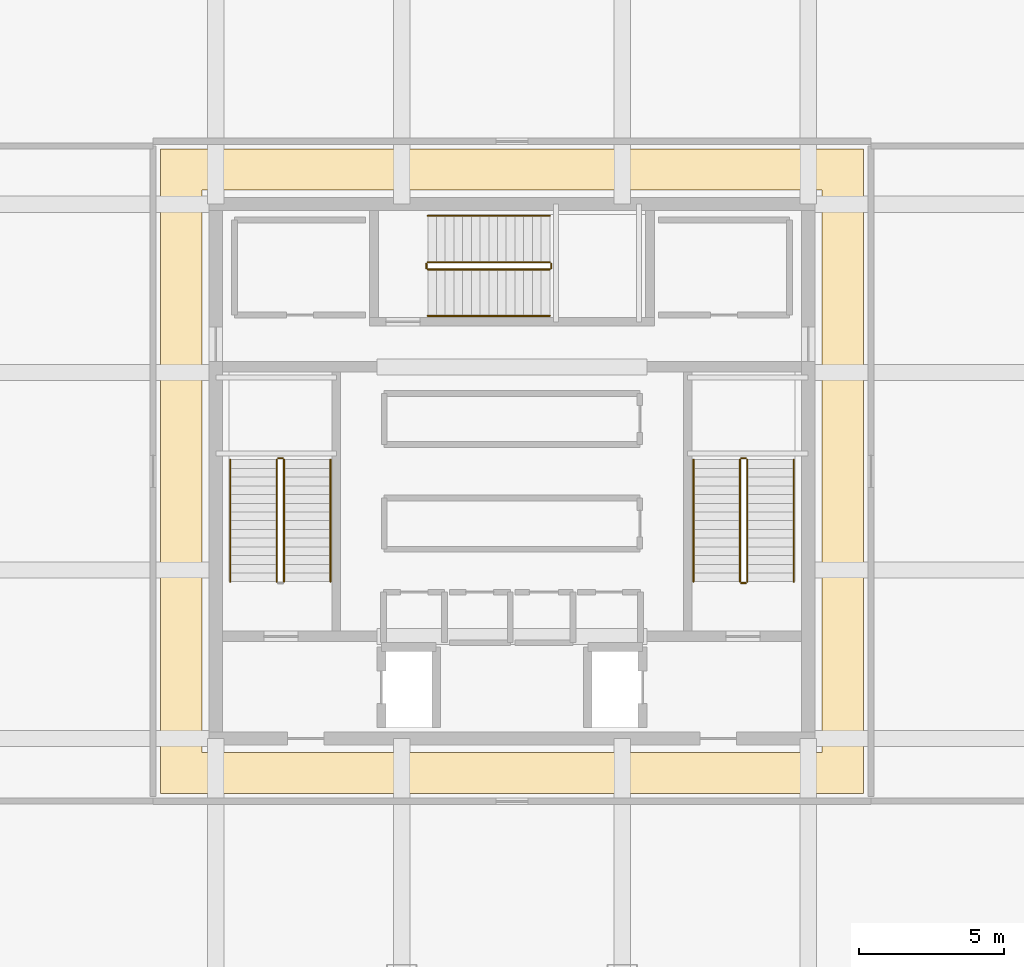
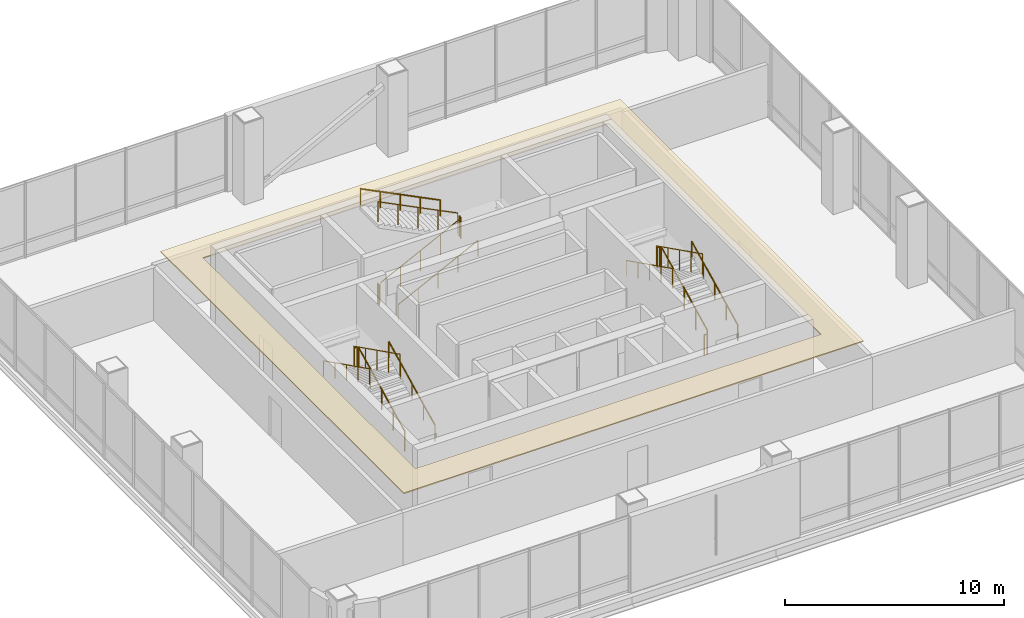
# One storey, part 32 of 33: 17 railings, 1 covering.
"""IFC4 building model written with IfcOpenShell, lengths in metres."""

import ifcopenshell
import ifcopenshell.guid

model = None  # the IFC model being written
_history = None  # IfcOwnerHistory: only IFC2X3 demands one
_inside = {}  # id of a spatial element -> (the spatial element, [elements in it])
_under = {}  # id of a project, library or spatial element -> (it, [spatial elements below it])
_declared = {}  # id of a project -> (the project, [libraries it declares])
_typed = {}  # id of a type object -> (the type object, [elements of that type])
_made_of = {}  # id of a material, layer set ... -> (it, [elements and type objects made of it])


def new_model(schema):
    """Start an empty IFC model of exactly this schema.

    Asked for "IFC4X3", IfcOpenShell would pick the latest addendum, in which some entities
    have other attributes; the version numbers below select the first issue.
    IFC2X3 requires an IfcOwnerHistory on every rooted entity: one is made here for all.
    """
    global model, _history
    if schema == "IFC4X3":
        model = ifcopenshell.file(schema_version=(4, 3, 0, 0))
    else:
        model = ifcopenshell.file(schema=schema)
    _inside.clear()
    _under.clear()
    _declared.clear()
    _typed.clear()
    _made_of.clear()
    _history = None
    if model.schema == "IFC2X3":
        org = make("IfcOrganization", Name="unknown")
        user = make(
            "IfcPersonAndOrganization",
            ThePerson=make("IfcPerson", FamilyName="unknown"),
            TheOrganization=org,
        )
        app = make(
            "IfcApplication",
            ApplicationDeveloper=org,
            Version="unknown",
            ApplicationFullName="unknown",
            ApplicationIdentifier="unknown",
        )
        _history = make(
            "IfcOwnerHistory",
            OwningUser=user,
            OwningApplication=app,
            ChangeAction="ADDED",
            CreationDate=0,
        )
    return model


def make(cls, **values):
    """One entity of the class cls with the attributes given. An attribute that is None is left unset."""
    return model.create_entity(
        cls, **{name: value for name, value in values.items() if value is not None}
    )


def rooted(cls, **values):
    """An entity with a GlobalId (a new one), such as an element, a storey or a relation."""
    return make(cls, GlobalId=ifcopenshell.guid.new(), OwnerHistory=_history, **values)


def si_unit(unit_type, name, prefix=None):
    """IfcSIUnit, for example si_unit("LENGTHUNIT", "METRE", prefix="MILLI")."""
    return make("IfcSIUnit", UnitType=unit_type, Prefix=prefix, Name=name)


def assignment(units):
    """IfcUnitAssignment: the units of a project."""
    return None if units is None else make("IfcUnitAssignment", Units=units)


def point(xyz):
    """IfcCartesianPoint."""
    return None if xyz is None else make("IfcCartesianPoint", Coordinates=xyz)


def direction(xyz):
    """IfcDirection."""
    return None if xyz is None else make("IfcDirection", DirectionRatios=xyz)


def frame(location, z_axis=None, x_axis=None):
    """IfcAxis2Placement3D, a coordinate frame: its origin and axes. An axis left out is left unset."""
    return make(
        "IfcAxis2Placement3D",
        Location=point(location),
        Axis=direction(z_axis),
        RefDirection=direction(x_axis),
    )


def frame_2d(location, x_axis=None):
    """IfcAxis2Placement2D, a coordinate frame in the plane: its origin and x axis."""
    return make(
        "IfcAxis2Placement2D", Location=point(location), RefDirection=direction(x_axis)
    )


def origin():
    """The frame at (0, 0, 0) with its axes left unset."""
    return frame((0.0, 0.0, 0.0))


def origin_2d():
    """The frame at (0, 0) in the plane with its x axis left unset."""
    return frame_2d((0.0, 0.0))


def place(relative_to, where):
    """IfcLocalPlacement: puts the frame where relative to a parent placement (None: the world)."""
    return make(
        "IfcLocalPlacement", PlacementRelTo=relative_to, RelativePlacement=where
    )


def context(
    kind, dimensions, precision=None, world=None, true_north=None, identifier=None
):
    """IfcGeometricRepresentationContext, for example the 3D "Model" context."""
    return make(
        "IfcGeometricRepresentationContext",
        ContextIdentifier=identifier,
        ContextType=kind,
        CoordinateSpaceDimension=dimensions,
        Precision=precision,
        WorldCoordinateSystem=world,
        TrueNorth=true_north,
    )


def subcontext(parent, identifier, kind, view, scale=None):
    """IfcGeometricRepresentationSubContext, for example "Body" below "Model"."""
    return make(
        "IfcGeometricRepresentationSubContext",
        ContextIdentifier=identifier,
        ContextType=kind,
        ParentContext=parent,
        TargetScale=scale,
        TargetView=view,
    )


def project(units=None, contexts=None):
    """IfcProject with its units and contexts."""
    return rooted(
        "IfcProject",
        Name="project",
        RepresentationContexts=contexts,
        UnitsInContext=assignment(units),
    )


def spatial(cls, under=None, at=None, **own):
    """A site, building, storey or space (cls), placed at a placement, below another one or the project."""
    s = rooted(cls, ObjectPlacement=at, **own)
    if under is not None:
        _under.setdefault(under.id(), (under, []))[1].append(s)
    return s


def polyline(points):
    """IfcPolyline through the points."""
    return make("IfcPolyline", Points=[point(p) for p in points])


def profile(cls, at=None, kind="AREA", **sizes):
    """A parametric profile (cls). Its sizes go by their IFC names, for example OverallWidth=200.0."""
    return make(cls, ProfileType=kind, Position=at, **sizes)


def circle(**sizes):
    """IfcCircleProfileDef."""
    return profile("IfcCircleProfileDef", **sizes)


def outline(outer, holes=None, kind="AREA"):
    """IfcArbitraryClosedProfileDef: a profile drawn as a closed curve; with holes, ...WithVoids."""
    if holes is None:
        return make("IfcArbitraryClosedProfileDef", ProfileType=kind, OuterCurve=outer)
    return make(
        "IfcArbitraryProfileDefWithVoids",
        ProfileType=kind,
        OuterCurve=outer,
        InnerCurves=holes,
    )


def extrude(swept, where, along, depth):
    """IfcExtrudedAreaSolid: the profile swept, set in the frame where, extruded along a direction by depth."""
    return make(
        "IfcExtrudedAreaSolid",
        SweptArea=swept,
        Position=where,
        ExtrudedDirection=direction(along),
        Depth=depth,
    )


def shape(context_of_items, identifier, shape_type, items):
    """IfcShapeRepresentation: the items that make up one representation, for example the "Body"."""
    return make(
        "IfcShapeRepresentation",
        ContextOfItems=context_of_items,
        RepresentationIdentifier=identifier,
        RepresentationType=shape_type,
        Items=items,
    )


def material(Name=None, Category=None):
    """IfcMaterial."""
    return make("IfcMaterial", Name=Name, Category=Category)


def layer(
    of_material, thickness, ventilated=None, Name=None, Category=None, Priority=None
):
    """IfcMaterialLayer: one layer of a wall or slab, of a material (None: an air gap)."""
    return make(
        "IfcMaterialLayer",
        Material=of_material,
        LayerThickness=thickness,
        IsVentilated=ventilated,
        Name=Name,
        Category=Category,
        Priority=Priority,
    )


def layer_set(layers, Name=None):
    """IfcMaterialLayerSet."""
    return make("IfcMaterialLayerSet", MaterialLayers=layers, LayerSetName=Name)


def made_of(thing, what):
    """Note that an element or type object is made of a material, layer set ...; save() writes the relation."""
    if what is not None:
        _made_of.setdefault(what.id(), (what, []))[1].append(thing)
    return thing


def type_object(cls, material=None, **own):
    """A type object (cls), such as IfcWallType, which elements share."""
    return made_of(rooted(cls, **own), material)


def element(
    cls,
    number,
    at=None,
    inside=None,
    cuts=None,
    type_object=None,
    material=None,
    context=None,
    identifier="Body",
    shape_type=None,
    held_by="IfcProductDefinitionShape",
    body=None,
    shapes=None,
    **own,
):
    """One element of the class cls, such as IfcWall. Its Tag is "e" and its number.

    at: its placement. inside: the storey or other place that contains it. cuts: it is an
    opening in that element (IfcRelVoidsElement). A single representation is given by context,
    identifier, shape_type and body (its items); several are given by shapes. held_by: the class
    of the entity that holds the representations. save() writes the other relations.
    """
    e = rooted(cls, Tag="e%d" % number, ObjectPlacement=at, **own)
    if body is not None:
        shapes = [shape(context, identifier, shape_type, body)]
    if shapes is not None:
        e.Representation = make(held_by, Representations=shapes)
    if inside is not None:
        _inside.setdefault(inside.id(), (inside, []))[1].append(e)
    if cuts is not None:
        rooted(
            "IfcRelVoidsElement", RelatingBuildingElement=cuts, RelatedOpeningElement=e
        )
    if type_object is not None:
        _typed.setdefault(type_object.id(), (type_object, []))[1].append(e)
    return made_of(e, material)


def aggregate(whole, parts):
    """IfcRelAggregates: a whole, such as a stair, and the parts it consists of."""
    return rooted("IfcRelAggregates", RelatingObject=whole, RelatedObjects=parts)


def save(model, path):
    """Write the relations noted so far, then the file.

    IfcRelAggregates (storeys below a building ...), IfcRelContainedInSpatialStructure (elements
    in a storey), IfcRelDefinesByType, IfcRelAssociatesMaterial and IfcRelDeclares: one each for
    every whole, place, type object, material and project.
    """
    for whole, parts in _under.values():
        aggregate(whole, parts)
    for where, things in _inside.values():
        rooted(
            "IfcRelContainedInSpatialStructure",
            RelatedElements=things,
            RelatingStructure=where,
        )
    for kind, things in _typed.values():
        rooted("IfcRelDefinesByType", RelatedObjects=things, RelatingType=kind)
    for what, things in _made_of.values():
        rooted("IfcRelAssociatesMaterial", RelatedObjects=things, RelatingMaterial=what)
    for by, libraries in _declared.values():
        rooted("IfcRelDeclares", RelatingContext=by, RelatedDefinitions=libraries)
    model.write(path)


model = new_model("IFC4")

# Units and contexts
model_context = context("Model", 3, precision=1e-05, world=origin(), true_north=direction((0.0, 1.0)))
body_context = subcontext(model_context, "Body", "Model", "MODEL_VIEW")
ifc_project = project(units=[si_unit("LENGTHUNIT", "METRE"), si_unit("AREAUNIT", "SQUARE_METRE"), si_unit("VOLUMEUNIT", "CUBIC_METRE"), si_unit("PLANEANGLEUNIT", "RADIAN"), si_unit("MASSUNIT", "GRAM", prefix="KILO")], contexts=[model_context])

# Site, building, storey
site_placement = place(None, origin())
site = spatial("IfcSite", under=ifc_project, at=site_placement, CompositionType="ELEMENT")
building_placement = place(site_placement, origin())
building = spatial("IfcBuilding", under=site, at=building_placement, Name="Punatoya Terracotta Tower", CompositionType="ELEMENT")
storey_placement = place(building_placement, frame((0.0, 0.0, 348.300048828125)))
storey = spatial("IfcBuildingStorey", under=building, at=storey_placement, Name="L82", CompositionType="ELEMENT", Elevation=348.300048828125)

# Covering
ifc_material_1 = material(Name="Acoustic Mineral Fibre Ceiling")
ifc_layer = layer(ifc_material_1, 0.06005859375)
ifc_layer_set = layer_set([ifc_layer], Name="Acoustic Mineral Fibre Ceiling")
covering_type = type_object("IfcCoveringType", Name="COV-CEIL-60", PredefinedType="CEILING", material=ifc_layer_set)
covering_placement = place(storey_placement, frame((0.0, 0.0, 3.669921875)))
element("IfcCovering", 1, at=covering_placement, inside=storey, type_object=covering_type, Name="L82 Baradari Crown Plant Ring Corridor Acoustic Ceiling", PredefinedType="CEILING", context=body_context, shape_type="SweptSolid", body=[
    extrude(outline(polyline([(-12.10009765625, 11.10009765625), (-12.10009765625, -11.10009765625), (12.10009765625, -11.10009765625), (12.10009765625, 11.10009765625), (-12.10009765625, 11.10009765625)]), holes=[polyline([(-10.679931640625, 9.679931640625), (10.679931640625, 9.679931640625), (10.679931640625, -9.679931640625), (-10.679931640625, -9.679931640625), (-10.679931640625, 9.679931640625)])]), origin(), (0.0, 0.0, 1.0), 0.06005859375),
])

# Railings
ifc_material_2 = material(Name="Steel S355", Category="steel")
railing_type_1 = type_object("IfcRailingType", Name="RLG-GRD-1150", PredefinedType="GUARDRAIL", material=ifc_material_2)
railing_1_placement = place(storey_placement, frame((-7.85009765625, -3.800048828125, 0.14990234375)))
element("IfcRailing", 2, at=railing_1_placement, inside=storey, type_object=railing_type_1, Name="L82 ST-1 stair guard 1", PredefinedType="GUARDRAIL", context=body_context, shape_type="SweptSolid", body=[
    extrude(circle(Radius=0.02392578125, at=origin_2d()), frame((0.0, 0.0, 1.1259765625), z_axis=(0.0, 0.894416792377, 0.447234392142), x_axis=(-1.0, 0.0, 0.0)), (0.0, 0.0, 1.0), 4.69580078125),
    extrude(circle(Radius=0.02099609375, at=origin_2d()), origin(), (0.0, 0.0, 1.0), 1.101806640625),
    extrude(circle(Radius=0.02099609375, at=origin_2d()), frame((0.0, 1.050048828125, 0.52490234375)), (0.0, 0.0, 1.0), 1.101806640625),
    extrude(circle(Radius=0.02099609375, at=origin_2d()), frame((0.0, 2.10009765625, 1.050048828125)), (0.0, 0.0, 1.0), 1.101806640625),
    extrude(circle(Radius=0.02099609375, at=origin_2d()), frame((0.0, 3.14990234375, 1.5751953125)), (0.0, 0.0, 1.0), 1.101806640625),
    extrude(circle(Radius=0.02099609375, at=origin_2d()), frame((0.0, 4.199951171875, 2.10009765625)), (0.0, 0.0, 1.0), 1.101806640625),
])
railing_2_placement = place(storey_placement, frame((-7.89990234375, 0.449951171875, 2.25)))
element("IfcRailing", 3, at=railing_2_placement, inside=storey, type_object=railing_type_1, Name="L82 ST-1 stair guard 2", PredefinedType="GUARDRAIL", context=body_context, shape_type="SweptSolid", body=[
    extrude(circle(Radius=0.02392578125, at=origin_2d()), frame((0.0, 0.0, 1.1259765625), z_axis=(-1.0, 0.0, 0.0), x_axis=(0.0, -1.0, 0.0)), (0.0, 0.0, 1.0), 0.150146484375),
    extrude(circle(Radius=0.02099609375, at=origin_2d()), origin(), (0.0, 0.0, 1.0), 1.101806640625),
    extrude(circle(Radius=0.02099609375, at=origin_2d()), frame((-0.150146484375, 0.0, 0.0)), (0.0, 0.0, 1.0), 1.101806640625),
])
railing_3_placement = place(storey_placement, frame((-8.10009765625, 0.39990234375, 2.39990234375)))
element("IfcRailing", 4, at=railing_3_placement, inside=storey, type_object=railing_type_1, Name="L82 ST-1 stair guard 3", PredefinedType="GUARDRAIL", context=body_context, shape_type="SweptSolid", body=[
    extrude(circle(Radius=0.02392578125, at=origin_2d()), frame((0.0, 0.0, 1.1259765625), z_axis=(0.0, -0.894416792377, 0.447234392142), x_axis=(1.0, 0.0, 0.0)), (0.0, 0.0, 1.0), 4.69580078125),
    extrude(circle(Radius=0.02099609375, at=origin_2d()), origin(), (0.0, 0.0, 1.0), 1.101806640625),
    extrude(circle(Radius=0.02099609375, at=origin_2d()), frame((0.0, -1.050048828125, 0.52490234375)), (0.0, 0.0, 1.0), 1.101806640625),
    extrude(circle(Radius=0.02099609375, at=origin_2d()), frame((0.0, -2.10009765625, 1.050048828125)), (0.0, 0.0, 1.0), 1.101806640625),
    extrude(circle(Radius=0.02099609375, at=origin_2d()), frame((0.0, -3.14990234375, 1.5751953125)), (0.0, 0.0, 1.0), 1.101806640625),
    extrude(circle(Radius=0.02099609375, at=origin_2d()), frame((0.0, -4.199951171875, 2.10009765625)), (0.0, 0.0, 1.0), 1.101806640625),
])
railing_4_placement = place(storey_placement, frame((8.10009765625, -3.800048828125, 0.14990234375)))
element("IfcRailing", 5, at=railing_4_placement, inside=storey, type_object=railing_type_1, Name="L82 ST-2 stair guard 1", PredefinedType="GUARDRAIL", context=body_context, shape_type="SweptSolid", body=[
    extrude(circle(Radius=0.02392578125, at=origin_2d()), frame((0.0, 0.0, 1.1259765625), z_axis=(0.0, 0.894416792377, 0.447234392142), x_axis=(-1.0, 0.0, 0.0)), (0.0, 0.0, 1.0), 4.69580078125),
    extrude(circle(Radius=0.02099609375, at=origin_2d()), origin(), (0.0, 0.0, 1.0), 1.101806640625),
    extrude(circle(Radius=0.02099609375, at=origin_2d()), frame((0.0, 1.050048828125, 0.52490234375)), (0.0, 0.0, 1.0), 1.101806640625),
    extrude(circle(Radius=0.02099609375, at=origin_2d()), frame((0.0, 2.10009765625, 1.050048828125)), (0.0, 0.0, 1.0), 1.101806640625),
    extrude(circle(Radius=0.02099609375, at=origin_2d()), frame((0.0, 3.14990234375, 1.5751953125)), (0.0, 0.0, 1.0), 1.101806640625),
    extrude(circle(Radius=0.02099609375, at=origin_2d()), frame((0.0, 4.199951171875, 2.10009765625)), (0.0, 0.0, 1.0), 1.101806640625),
])
railing_5_placement = place(storey_placement, frame((8.050048828125, 0.449951171875, 2.25)))
element("IfcRailing", 6, at=railing_5_placement, inside=storey, type_object=railing_type_1, Name="L82 ST-2 stair guard 2", PredefinedType="GUARDRAIL", context=body_context, shape_type="SweptSolid", body=[
    extrude(circle(Radius=0.02392578125, at=origin_2d()), frame((0.0, 0.0, 1.1259765625), z_axis=(-1.0, 0.0, 0.0), x_axis=(0.0, -1.0, 0.0)), (0.0, 0.0, 1.0), 0.150146484375),
    extrude(circle(Radius=0.02099609375, at=origin_2d()), origin(), (0.0, 0.0, 1.0), 1.101806640625),
    extrude(circle(Radius=0.02099609375, at=origin_2d()), frame((-0.150146484375, 0.0, 0.0)), (0.0, 0.0, 1.0), 1.101806640625),
])
railing_6_placement = place(storey_placement, frame((7.85009765625, 0.39990234375, 2.39990234375)))
element("IfcRailing", 7, at=railing_6_placement, inside=storey, type_object=railing_type_1, Name="L82 ST-2 stair guard 3", PredefinedType="GUARDRAIL", context=body_context, shape_type="SweptSolid", body=[
    extrude(circle(Radius=0.02392578125, at=origin_2d()), frame((0.0, 0.0, 1.1259765625), z_axis=(0.0, -0.894416792377, 0.447234392142), x_axis=(1.0, 0.0, 0.0)), (0.0, 0.0, 1.0), 4.69580078125),
    extrude(circle(Radius=0.02099609375, at=origin_2d()), origin(), (0.0, 0.0, 1.0), 1.101806640625),
    extrude(circle(Radius=0.02099609375, at=origin_2d()), frame((0.0, -1.050048828125, 0.52490234375)), (0.0, 0.0, 1.0), 1.101806640625),
    extrude(circle(Radius=0.02099609375, at=origin_2d()), frame((0.0, -2.10009765625, 1.050048828125)), (0.0, 0.0, 1.0), 1.101806640625),
    extrude(circle(Radius=0.02099609375, at=origin_2d()), frame((0.0, -3.14990234375, 1.5751953125)), (0.0, 0.0, 1.0), 1.101806640625),
    extrude(circle(Radius=0.02099609375, at=origin_2d()), frame((0.0, -4.199951171875, 2.10009765625)), (0.0, 0.0, 1.0), 1.101806640625),
])
railing_7_placement = place(storey_placement, frame((8.050048828125, -3.85009765625, 0.0)))
element("IfcRailing", 8, at=railing_7_placement, inside=storey, type_object=railing_type_1, Name="L82 ST-2 stair guard 4", PredefinedType="GUARDRAIL", context=body_context, shape_type="SweptSolid", body=[
    extrude(circle(Radius=0.02392578125, at=origin_2d()), frame((0.0, 0.0, 1.1259765625), z_axis=(-1.0, 0.0, 0.0), x_axis=(0.0, -1.0, 0.0)), (0.0, 0.0, 1.0), 0.150146484375),
    extrude(circle(Radius=0.02099609375, at=origin_2d()), origin(), (0.0, 0.0, 1.0), 1.101806640625),
    extrude(circle(Radius=0.02099609375, at=origin_2d()), frame((-0.150146484375, 0.0, 0.0)), (0.0, 0.0, 1.0), 1.101806640625),
])
railing_8_placement = place(storey_placement, frame((-2.89990234375, 6.949951171875, 0.14990234375)))
element("IfcRailing", 9, at=railing_8_placement, inside=storey, type_object=railing_type_1, Name="L82 ST-3 stair guard 1", PredefinedType="GUARDRAIL", context=body_context, shape_type="SweptSolid", body=[
    extrude(circle(Radius=0.02392578125, at=origin_2d()), frame((0.0, 0.0, 1.1259765625), z_axis=(0.894416792377, 0.0, 0.447234392142), x_axis=(0.0, 1.0, 0.0)), (0.0, 0.0, 1.0), 4.69580078125),
    extrude(circle(Radius=0.02099609375, at=origin_2d()), origin(), (0.0, 0.0, 1.0), 1.101806640625),
    extrude(circle(Radius=0.02099609375, at=origin_2d()), frame((1.050048828125, 0.0, 0.52490234375)), (0.0, 0.0, 1.0), 1.101806640625),
    extrude(circle(Radius=0.02099609375, at=origin_2d()), frame((2.10009765625, 0.0, 1.050048828125)), (0.0, 0.0, 1.0), 1.101806640625),
    extrude(circle(Radius=0.02099609375, at=origin_2d()), frame((3.14990234375, 0.0, 1.5751953125)), (0.0, 0.0, 1.0), 1.101806640625),
    extrude(circle(Radius=0.02099609375, at=origin_2d()), frame((4.199951171875, 0.0, 2.10009765625)), (0.0, 0.0, 1.0), 1.101806640625),
])
railing_9_placement = place(storey_placement, frame((1.35009765625, 7.0, 2.25)))
element("IfcRailing", 10, at=railing_9_placement, inside=storey, type_object=railing_type_1, Name="L82 ST-3 stair guard 2", PredefinedType="GUARDRAIL", context=body_context, shape_type="SweptSolid", body=[
    extrude(circle(Radius=0.02392578125, at=origin_2d()), frame((0.0, 0.0, 1.1259765625), z_axis=(0.0, 1.0, 0.0), x_axis=(-1.0, 0.0, 0.0)), (0.0, 0.0, 1.0), 0.14990234375),
    extrude(circle(Radius=0.02099609375, at=origin_2d()), origin(), (0.0, 0.0, 1.0), 1.101806640625),
    extrude(circle(Radius=0.02099609375, at=origin_2d()), frame((0.0, 0.14990234375, 0.0)), (0.0, 0.0, 1.0), 1.101806640625),
])
railing_10_placement = place(storey_placement, frame((1.300048828125, 7.199951171875, 2.39990234375)))
element("IfcRailing", 11, at=railing_10_placement, inside=storey, type_object=railing_type_1, Name="L82 ST-3 stair guard 3", PredefinedType="GUARDRAIL", context=body_context, shape_type="SweptSolid", body=[
    extrude(circle(Radius=0.02392578125, at=origin_2d()), frame((0.0, 0.0, 1.1259765625), z_axis=(-0.894416792377, 0.0, 0.447234392142), x_axis=(0.0, -1.0, 0.0)), (0.0, 0.0, 1.0), 4.69580078125),
    extrude(circle(Radius=0.02099609375, at=origin_2d()), origin(), (0.0, 0.0, 1.0), 1.101806640625),
    extrude(circle(Radius=0.02099609375, at=origin_2d()), frame((-1.050048828125, 0.0, 0.52490234375)), (0.0, 0.0, 1.0), 1.101806640625),
    extrude(circle(Radius=0.02099609375, at=origin_2d()), frame((-2.10009765625, 0.0, 1.050048828125)), (0.0, 0.0, 1.0), 1.101806640625),
    extrude(circle(Radius=0.02099609375, at=origin_2d()), frame((-3.14990234375, 0.0, 1.5751953125)), (0.0, 0.0, 1.0), 1.101806640625),
    extrude(circle(Radius=0.02099609375, at=origin_2d()), frame((-4.199951171875, 0.0, 2.10009765625)), (0.0, 0.0, 1.0), 1.101806640625),
])
railing_11_placement = place(storey_placement, frame((-2.949951171875, 7.0, 0.0)))
element("IfcRailing", 12, at=railing_11_placement, inside=storey, type_object=railing_type_1, Name="L82 ST-3 stair guard 4", PredefinedType="GUARDRAIL", context=body_context, shape_type="SweptSolid", body=[
    extrude(circle(Radius=0.02392578125, at=origin_2d()), frame((0.0, 0.0, 1.1259765625), z_axis=(0.0, 1.0, 0.0), x_axis=(-1.0, 0.0, 0.0)), (0.0, 0.0, 1.0), 0.14990234375),
    extrude(circle(Radius=0.02099609375, at=origin_2d()), origin(), (0.0, 0.0, 1.0), 1.101806640625),
    extrude(circle(Radius=0.02099609375, at=origin_2d()), frame((0.0, 0.14990234375, 0.0)), (0.0, 0.0, 1.0), 1.101806640625),
])
railing_type_2 = type_object("IfcRailingType", Name="RLG-HND-900", PredefinedType="HANDRAIL", material=ifc_material_2)
railing_12_placement = place(storey_placement, frame((-6.25, -3.800048828125, 0.14990234375)))
element("IfcRailing", 13, at=railing_12_placement, inside=storey, type_object=railing_type_2, Name="L82 ST-1 stair handrail 1", PredefinedType="HANDRAIL", context=body_context, shape_type="SweptSolid", body=[
    extrude(circle(Radius=0.02392578125, at=origin_2d()), frame((0.0, 0.0, 0.8759765625), z_axis=(0.0, 0.894416792377, 0.447234392142), x_axis=(-1.0, 0.0, 0.0)), (0.0, 0.0, 1.0), 4.69580078125),
    extrude(circle(Radius=0.02099609375, at=origin_2d()), origin(), (0.0, 0.0, 1.0), 0.851806640625),
    extrude(circle(Radius=0.02099609375, at=origin_2d()), frame((0.0, 1.050048828125, 0.52490234375)), (0.0, 0.0, 1.0), 0.851806640625),
    extrude(circle(Radius=0.02099609375, at=origin_2d()), frame((0.0, 2.10009765625, 1.050048828125)), (0.0, 0.0, 1.0), 0.851806640625),
    extrude(circle(Radius=0.02099609375, at=origin_2d()), frame((0.0, 3.14990234375, 1.5751953125)), (0.0, 0.0, 1.0), 0.851806640625),
    extrude(circle(Radius=0.02099609375, at=origin_2d()), frame((0.0, 4.199951171875, 2.10009765625)), (0.0, 0.0, 1.0), 0.851806640625),
])
railing_13_placement = place(storey_placement, frame((-9.699951171875, 0.39990234375, 2.39990234375)))
element("IfcRailing", 14, at=railing_13_placement, inside=storey, type_object=railing_type_2, Name="L82 ST-1 stair handrail 2", PredefinedType="HANDRAIL", context=body_context, shape_type="SweptSolid", body=[
    extrude(circle(Radius=0.02392578125, at=origin_2d()), frame((0.0, 0.0, 0.8759765625), z_axis=(0.0, -0.894416792377, 0.447234392142), x_axis=(1.0, 0.0, 0.0)), (0.0, 0.0, 1.0), 4.69580078125),
    extrude(circle(Radius=0.02099609375, at=origin_2d()), origin(), (0.0, 0.0, 1.0), 0.851806640625),
    extrude(circle(Radius=0.02099609375, at=origin_2d()), frame((0.0, -1.050048828125, 0.52490234375)), (0.0, 0.0, 1.0), 0.851806640625),
    extrude(circle(Radius=0.02099609375, at=origin_2d()), frame((0.0, -2.10009765625, 1.050048828125)), (0.0, 0.0, 1.0), 0.851806640625),
    extrude(circle(Radius=0.02099609375, at=origin_2d()), frame((0.0, -3.14990234375, 1.5751953125)), (0.0, 0.0, 1.0), 0.851806640625),
    extrude(circle(Radius=0.02099609375, at=origin_2d()), frame((0.0, -4.199951171875, 2.10009765625)), (0.0, 0.0, 1.0), 0.851806640625),
])
railing_14_placement = place(storey_placement, frame((9.699951171875, -3.800048828125, 0.14990234375)))
element("IfcRailing", 15, at=railing_14_placement, inside=storey, type_object=railing_type_2, Name="L82 ST-2 stair handrail 1", PredefinedType="HANDRAIL", context=body_context, shape_type="SweptSolid", body=[
    extrude(circle(Radius=0.02392578125, at=origin_2d()), frame((0.0, 0.0, 0.8759765625), z_axis=(0.0, 0.894416792377, 0.447234392142), x_axis=(-1.0, 0.0, 0.0)), (0.0, 0.0, 1.0), 4.69580078125),
    extrude(circle(Radius=0.02099609375, at=origin_2d()), origin(), (0.0, 0.0, 1.0), 0.851806640625),
    extrude(circle(Radius=0.02099609375, at=origin_2d()), frame((0.0, 1.050048828125, 0.52490234375)), (0.0, 0.0, 1.0), 0.851806640625),
    extrude(circle(Radius=0.02099609375, at=origin_2d()), frame((0.0, 2.10009765625, 1.050048828125)), (0.0, 0.0, 1.0), 0.851806640625),
    extrude(circle(Radius=0.02099609375, at=origin_2d()), frame((0.0, 3.14990234375, 1.5751953125)), (0.0, 0.0, 1.0), 0.851806640625),
    extrude(circle(Radius=0.02099609375, at=origin_2d()), frame((0.0, 4.199951171875, 2.10009765625)), (0.0, 0.0, 1.0), 0.851806640625),
])
railing_15_placement = place(storey_placement, frame((6.25, 0.39990234375, 2.39990234375)))
element("IfcRailing", 16, at=railing_15_placement, inside=storey, type_object=railing_type_2, Name="L82 ST-2 stair handrail 2", PredefinedType="HANDRAIL", context=body_context, shape_type="SweptSolid", body=[
    extrude(circle(Radius=0.02392578125, at=origin_2d()), frame((0.0, 0.0, 0.8759765625), z_axis=(0.0, -0.894416792377, 0.447234392142), x_axis=(1.0, 0.0, 0.0)), (0.0, 0.0, 1.0), 4.69580078125),
    extrude(circle(Radius=0.02099609375, at=origin_2d()), origin(), (0.0, 0.0, 1.0), 0.851806640625),
    extrude(circle(Radius=0.02099609375, at=origin_2d()), frame((0.0, -1.050048828125, 0.52490234375)), (0.0, 0.0, 1.0), 0.851806640625),
    extrude(circle(Radius=0.02099609375, at=origin_2d()), frame((0.0, -2.10009765625, 1.050048828125)), (0.0, 0.0, 1.0), 0.851806640625),
    extrude(circle(Radius=0.02099609375, at=origin_2d()), frame((0.0, -3.14990234375, 1.5751953125)), (0.0, 0.0, 1.0), 0.851806640625),
    extrude(circle(Radius=0.02099609375, at=origin_2d()), frame((0.0, -4.199951171875, 2.10009765625)), (0.0, 0.0, 1.0), 0.851806640625),
])
railing_16_placement = place(storey_placement, frame((-2.89990234375, 5.35009765625, 0.14990234375)))
element("IfcRailing", 17, at=railing_16_placement, inside=storey, type_object=railing_type_2, Name="L82 ST-3 stair handrail 1", PredefinedType="HANDRAIL", context=body_context, shape_type="SweptSolid", body=[
    extrude(circle(Radius=0.02392578125, at=origin_2d()), frame((0.0, 0.0, 0.8759765625), z_axis=(0.894416792377, 0.0, 0.447234392142), x_axis=(0.0, 1.0, 0.0)), (0.0, 0.0, 1.0), 4.69580078125),
    extrude(circle(Radius=0.02099609375, at=origin_2d()), origin(), (0.0, 0.0, 1.0), 0.851806640625),
    extrude(circle(Radius=0.02099609375, at=origin_2d()), frame((1.050048828125, 0.0, 0.52490234375)), (0.0, 0.0, 1.0), 0.851806640625),
    extrude(circle(Radius=0.02099609375, at=origin_2d()), frame((2.10009765625, 0.0, 1.050048828125)), (0.0, 0.0, 1.0), 0.851806640625),
    extrude(circle(Radius=0.02099609375, at=origin_2d()), frame((3.14990234375, 0.0, 1.5751953125)), (0.0, 0.0, 1.0), 0.851806640625),
    extrude(circle(Radius=0.02099609375, at=origin_2d()), frame((4.199951171875, 0.0, 2.10009765625)), (0.0, 0.0, 1.0), 0.851806640625),
])
railing_17_placement = place(storey_placement, frame((1.300048828125, 8.800048828125, 2.39990234375)))
element("IfcRailing", 18, at=railing_17_placement, inside=storey, type_object=railing_type_2, Name="L82 ST-3 stair handrail 2", PredefinedType="HANDRAIL", context=body_context, shape_type="SweptSolid", body=[
    extrude(circle(Radius=0.02392578125, at=origin_2d()), frame((0.0, 0.0, 0.8759765625), z_axis=(-0.894416792377, 0.0, 0.447234392142), x_axis=(0.0, -1.0, 0.0)), (0.0, 0.0, 1.0), 4.69580078125),
    extrude(circle(Radius=0.02099609375, at=origin_2d()), origin(), (0.0, 0.0, 1.0), 0.851806640625),
    extrude(circle(Radius=0.02099609375, at=origin_2d()), frame((-1.050048828125, 0.0, 0.52490234375)), (0.0, 0.0, 1.0), 0.851806640625),
    extrude(circle(Radius=0.02099609375, at=origin_2d()), frame((-2.10009765625, 0.0, 1.050048828125)), (0.0, 0.0, 1.0), 0.851806640625),
    extrude(circle(Radius=0.02099609375, at=origin_2d()), frame((-3.14990234375, 0.0, 1.5751953125)), (0.0, 0.0, 1.0), 0.851806640625),
    extrude(circle(Radius=0.02099609375, at=origin_2d()), frame((-4.199951171875, 0.0, 2.10009765625)), (0.0, 0.0, 1.0), 0.851806640625),
])

save(model, "model.ifc")
